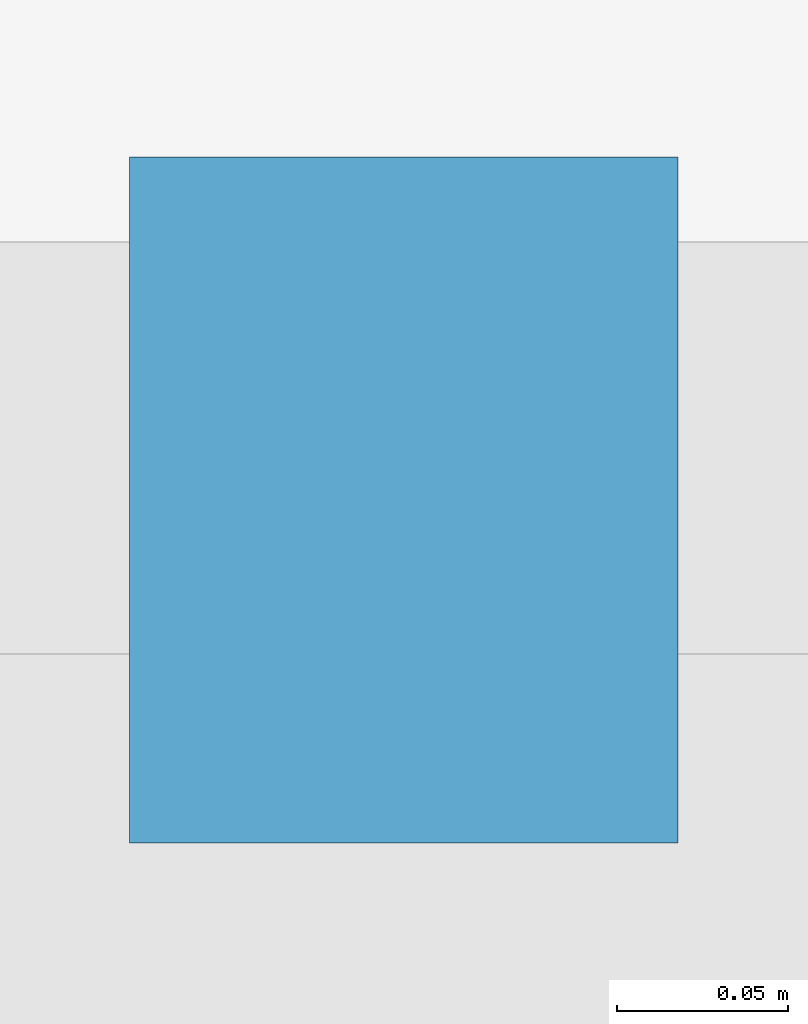
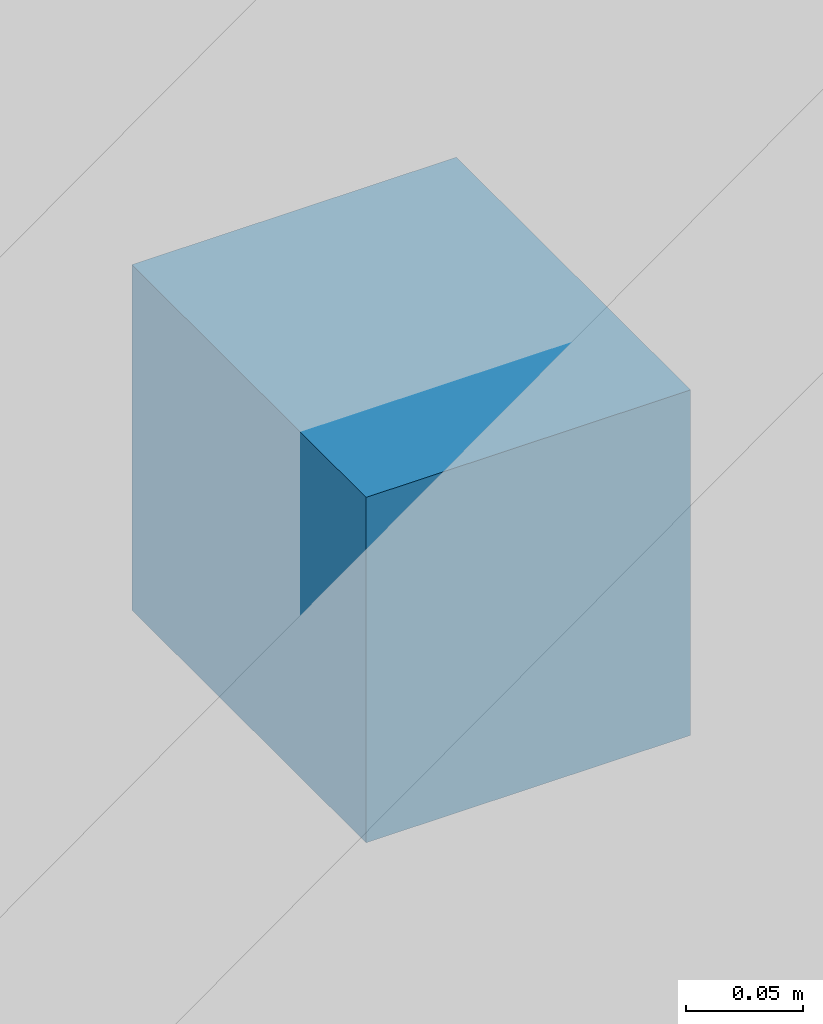
# One storey, part 17 of 22: 1 discrete accessory.
"""IFC4 building model written with IfcOpenShell, lengths in metres."""

from ifc_helpers import new_model, si_unit, direction, frame, origin, origin_2d, place, context, subcontext, project, spatial, rectangle, extrude, material, type_object, element, save


model = new_model("IFC4")

# Units and contexts
model_context = context("Model", 3, precision=1e-05, world=origin(), true_north=direction((0.0, 1.0)))
body_context = subcontext(model_context, "Body", "Model", "MODEL_VIEW")
ifc_project = project(units=[si_unit("LENGTHUNIT", "METRE"), si_unit("AREAUNIT", "SQUARE_METRE"), si_unit("VOLUMEUNIT", "CUBIC_METRE"), si_unit("PLANEANGLEUNIT", "RADIAN"), si_unit("MASSUNIT", "GRAM", prefix="KILO")], contexts=[model_context])

# Site, building, storey
site_placement = place(None, origin())
site = spatial("IfcSite", under=ifc_project, at=site_placement, CompositionType="ELEMENT")
building_placement = place(site_placement, origin())
building = spatial("IfcBuilding", under=site, at=building_placement, Name="Koriwani Terraces Tower", CompositionType="ELEMENT")
storey_placement = place(building_placement, frame((0.0, 0.0, 10.800048828125)))
storey = spatial("IfcBuildingStorey", under=building, at=storey_placement, Name="L02", CompositionType="ELEMENT", Elevation=10.800048828125)

# Discrete accessory
ifc_material = material(Name="Steel ASTM A572 Grade 50", Category="steel")
discrete_accessory_type = type_object("IfcDiscreteAccessoryType", Name="BAGUETTE_STANDOFF_BRACKET", PredefinedType="BRACKET", material=ifc_material)
discrete_accessory_placement = place(storey_placement, frame((79.800048828125, 0.389892578125, 2.134765625), z_axis=(0.0, 0.0, 1.0), x_axis=(-1.0, 0.0, 0.0)))
element("IfcDiscreteAccessory", 1, at=discrete_accessory_placement, inside=storey, type_object=discrete_accessory_type, Name="L02 Terracotta Baguette Bracket (S-27)", PredefinedType="BRACKET", context=body_context, shape_type="SweptSolid", body=[
    extrude(rectangle(XDim=0.159912109375, YDim=0.199951171875, at=origin_2d()), origin(), (0.0, 0.0, 1.0), 0.179931640625),
])

save(model, "model.ifc")
